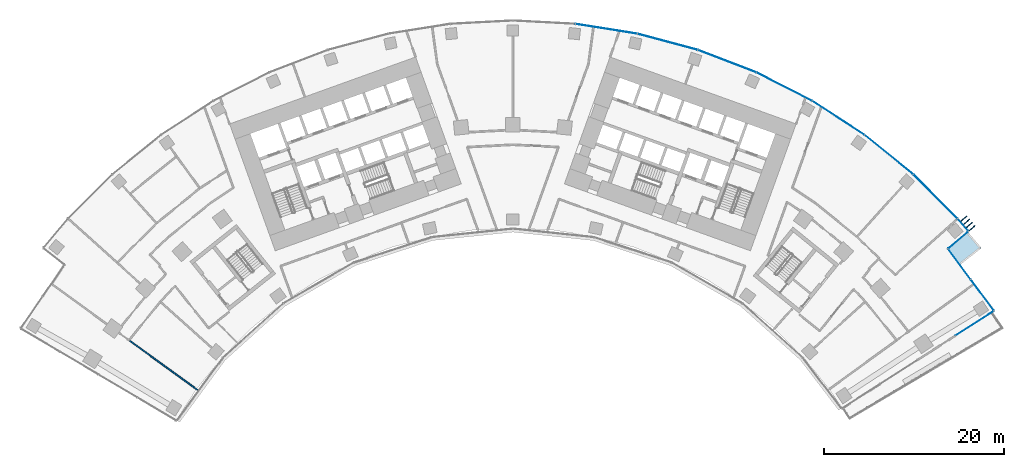
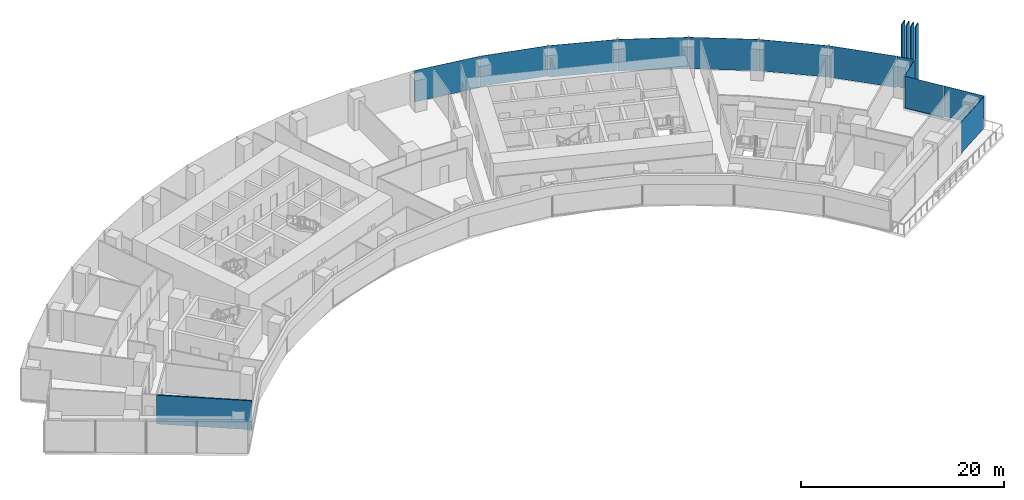
# One storey, part 13 of 21: 16 plates, 1 slab, 1 wall, 4 elements without a shape of their own.
"""IFC4 building model written with IfcOpenShell, lengths in metres."""

from ifc_helpers import new_model, si_unit, direction, frame, frame_2d, origin, origin_2d, place, context, subcontext, project, spatial, polyline, rectangle, outline, extrude, material, layer, layer_set, type_object, element, aggregate, save


model = new_model("IFC4")

# Units and contexts
model_context = context("Model", 3, precision=1e-05, world=origin(), true_north=direction((0.0, 1.0)))
body_context = subcontext(model_context, "Body", "Model", "MODEL_VIEW")
ifc_project = project(units=[si_unit("LENGTHUNIT", "METRE"), si_unit("AREAUNIT", "SQUARE_METRE"), si_unit("VOLUMEUNIT", "CUBIC_METRE"), si_unit("PLANEANGLEUNIT", "RADIAN"), si_unit("MASSUNIT", "GRAM", prefix="KILO")], contexts=[model_context])

# Site, building, storey
site_placement = place(None, origin())
site = spatial("IfcSite", under=ifc_project, at=site_placement, CompositionType="ELEMENT")
building_placement = place(site_placement, origin())
building = spatial("IfcBuilding", under=site, at=building_placement, Name="Stone Belt Terrace Tower", CompositionType="ELEMENT")
storey_placement = place(building_placement, frame((0.0, 0.0, 45.199951171875)))
storey = spatial("IfcBuildingStorey", under=building, at=storey_placement, Name="L10", CompositionType="ELEMENT", Elevation=45.199951171875)

# Curtain wall, plates
ifc_material_1 = material(Name="Aluminium 6063-T6 anodised frame", Category="aluminium")
ifc_layer_1 = layer(ifc_material_1, 0.14990234375)
ifc_layer_set_1 = layer_set([ifc_layer_1], Name="CW-A unitised convex-face curtain wall")
curtain_wall_type_1 = type_object("IfcCurtainWallType", Name="CW-A unitised convex-face curtain wall", PredefinedType="NOTDEFINED", material=ifc_layer_set_1)
curtain_wall_1_placement = place(storey_placement, origin())
curtain_wall_1 = element("IfcCurtainWall", 1, at=curtain_wall_1_placement, inside=storey, type_object=curtain_wall_type_1, Name="CW-A convex face L10", PredefinedType="NOTDEFINED")
ifc_material_2 = material(Name="Clear double glazed unit")
ifc_layer_2 = layer(ifc_material_2, 0.031982421875)
ifc_layer_set_2 = layer_set([ifc_layer_2], Name="CW-A glass panel 32")
plate_type_1 = type_object("IfcPlateType", Name="CW-A glass panel 32", PredefinedType="CURTAIN_PANEL", material=ifc_layer_set_2)
plate_1_placement = place(storey_placement, frame((50.075439453125, 43.862060546875, 0.14013671875), z_axis=(0.0, 0.0, 1.0), x_axis=(-0.659073728338, 0.752078334095, 0.0)))
plate_1 = element("IfcPlate", 2, at=plate_1_placement, type_object=plate_type_1, Name="CW-A panel 1.1", PredefinedType="CURTAIN_PANEL", context=body_context, shape_type="SweptSolid", body=[
    extrude(rectangle(XDim=1.760498046875, YDim=0.031982421875, at=origin_2d()), origin(), (0.0, 0.0, 1.0), 3.659912109375),
])
plate_2_placement = place(storey_placement, frame((47.01123046875, 47.01123046875, 0.0), z_axis=(0.0, 0.0, 1.0), x_axis=(-0.707106781187, 0.707106781187, 0.0)))
plate_2 = element("IfcPlate", 3, at=plate_2_placement, type_object=plate_type_1, Name="CW-A panel 2.1", PredefinedType="CURTAIN_PANEL", context=body_context, shape_type="SweptSolid", body=[
    extrude(rectangle(XDim=6.900634765625, YDim=0.031982421875, at=origin_2d()), origin(), (0.0, 0.0, 1.0), 3.800048828125),
])
plate_3_placement = place(storey_placement, frame((41.839599609375, 51.667724609375, 0.0), z_axis=(0.0, 0.0, 1.0), x_axis=(-0.777145961457, 0.62932039105, 0.0)))
plate_3 = element("IfcPlate", 4, at=plate_3_placement, type_object=plate_type_1, Name="CW-A panel 3.1", PredefinedType="CURTAIN_PANEL", context=body_context, shape_type="SweptSolid", body=[
    extrude(rectangle(XDim=6.90087890625, YDim=0.031982421875, at=origin_2d()), origin(), (0.0, 0.0, 1.0), 3.800048828125),
])
plate_4_placement = place(storey_placement, frame((36.209716796875, 55.758056640625, 0.0), z_axis=(0.0, 0.0, 1.0), x_axis=(-0.838670567945, 0.544639035015, 0.0)))
plate_4 = element("IfcPlate", 5, at=plate_4_placement, type_object=plate_type_1, Name="CW-A panel 4.1", PredefinedType="CURTAIN_PANEL", context=body_context, shape_type="SweptSolid", body=[
    extrude(rectangle(XDim=6.90087890625, YDim=0.031982421875, at=origin_2d()), origin(), (0.0, 0.0, 1.0), 3.800048828125),
])
plate_5_placement = place(storey_placement, frame((30.18310546875, 59.237548828125, 0.0), z_axis=(0.0, 0.0, 1.0), x_axis=(-0.891006524188, 0.45399049974, 0.0)))
plate_5 = element("IfcPlate", 6, at=plate_5_placement, type_object=plate_type_1, Name="CW-A panel 5.1", PredefinedType="CURTAIN_PANEL", context=body_context, shape_type="SweptSolid", body=[
    extrude(rectangle(XDim=6.90087890625, YDim=0.031982421875, at=origin_2d()), origin(), (0.0, 0.0, 1.0), 3.800048828125),
])
plate_6_placement = place(storey_placement, frame((23.82568359375, 62.068115234375, 0.0), z_axis=(0.0, 0.0, 1.0), x_axis=(-0.933580426497, 0.358367949545, 0.0)))
plate_6 = element("IfcPlate", 7, at=plate_6_placement, type_object=plate_type_1, Name="CW-A panel 6.1", PredefinedType="CURTAIN_PANEL", context=body_context, shape_type="SweptSolid", body=[
    extrude(rectangle(XDim=6.90087890625, YDim=0.031982421875, at=origin_2d()), origin(), (0.0, 0.0, 1.0), 3.800048828125),
])
plate_7_placement = place(storey_placement, frame((17.207275390625, 64.218505859375, 0.14013671875), z_axis=(0.0, 0.0, 1.0), x_axis=(-0.965925826289, 0.258819045103, 0.0)))
plate_7 = element("IfcPlate", 8, at=plate_7_placement, type_object=plate_type_1, Name="CW-A panel 7.1", PredefinedType="CURTAIN_PANEL", context=body_context, shape_type="SweptSolid", body=[
    extrude(rectangle(XDim=6.90087890625, YDim=0.031982421875, at=origin_2d()), origin(), (0.0, 0.0, 1.0), 3.659912109375),
])
plate_8_placement = place(storey_placement, frame((10.400390625, 65.665283203125, 0.0), z_axis=(0.0, 0.0, 1.0), x_axis=(-0.987688340595, 0.15643446504, 0.0)))
plate_8 = element("IfcPlate", 9, at=plate_8_placement, type_object=plate_type_1, Name="CW-A panel 8.1", PredefinedType="CURTAIN_PANEL", context=body_context, shape_type="SweptSolid", body=[
    extrude(rectangle(XDim=6.90087890625, YDim=0.031982421875, at=origin_2d()), origin(), (0.0, 0.0, 1.0), 3.800048828125),
])
aggregate(curtain_wall_1, [plate_1, plate_2, plate_3, plate_4, plate_5, plate_6, plate_7, plate_8])

# Curtain wall, plate
ifc_layer_3 = layer(ifc_material_1, 0.14990234375)
ifc_layer_set_3 = layer_set([ifc_layer_3], Name="CW-C stick curtain wall, horn ends and notches")
curtain_wall_type_2 = type_object("IfcCurtainWallType", Name="CW-C stick curtain wall, horn ends and notches", PredefinedType="NOTDEFINED", material=ifc_layer_set_3)
curtain_wall_2_placement = place(storey_placement, origin())
curtain_wall_2 = element("IfcCurtainWall", 10, at=curtain_wall_2_placement, inside=storey, type_object=curtain_wall_type_2, Name="CW-C end face L10", PredefinedType="NOTDEFINED")
ifc_layer_4 = layer(ifc_material_2, 0.028076171875)
ifc_layer_set_4 = layer_set([ifc_layer_4], Name="CW-C glass panel 28")
plate_type_2 = type_object("IfcPlateType", Name="CW-C glass panel 28", PredefinedType="CURTAIN_PANEL", material=ifc_layer_set_4)
plate_9_placement = place(storey_placement, frame((51.385009765625, 32.90478515625, 0.0), z_axis=(0.0, 0.0, 1.0), x_axis=(0.841470984807, 0.540302305869, 0.0)))
plate_9 = element("IfcPlate", 11, at=plate_9_placement, type_object=plate_type_2, Name="CW-C panel 4.1", PredefinedType="CURTAIN_PANEL", context=body_context, shape_type="SweptSolid", body=[
    extrude(rectangle(XDim=4.974853515625, YDim=0.028076171875, at=origin_2d()), origin(), (0.0, 0.0, 1.0), 3.800048828125),
])
aggregate(curtain_wall_2, [plate_9])

# Curtain wall, plates
curtain_wall_3_placement = place(storey_placement, origin())
curtain_wall_3 = element("IfcCurtainWall", 12, at=curtain_wall_3_placement, inside=storey, type_object=curtain_wall_type_2, Name="CW-C notch face L10", PredefinedType="NOTDEFINED")
plate_10_placement = place(storey_placement, frame((52.224609375, 36.063720703125, 0.1201171875), z_axis=(0.0, 0.0, 1.0), x_axis=(-0.59596392258, 0.803011209749, 0.0)))
plate_10 = element("IfcPlate", 13, at=plate_10_placement, type_object=plate_type_2, Name="CW-C panel 1.1", PredefinedType="CURTAIN_PANEL", context=body_context, shape_type="SweptSolid", body=[
    extrude(rectangle(XDim=4.268798828125, YDim=0.028076171875, at=origin_2d()), origin(), (0.0, 0.0, 1.0), 3.679931640625),
])
plate_11_placement = place(storey_placement, frame((49.68896484375, 39.480224609375, 0.0), z_axis=(0.0, 0.0, 1.0), x_axis=(-0.59596392258, 0.803011209749, 0.0)))
plate_11 = element("IfcPlate", 14, at=plate_11_placement, type_object=plate_type_2, Name="CW-C panel 2.1", PredefinedType="CURTAIN_PANEL", context=body_context, shape_type="SweptSolid", body=[
    extrude(rectangle(XDim=4.12060546875, YDim=0.028076171875, at=origin_2d()), origin(), (0.0, 0.0, 1.0), 3.800048828125),
])
aggregate(curtain_wall_3, [plate_10, plate_11])

# Curtain wall, plate
curtain_wall_4_placement = place(storey_placement, origin())
curtain_wall_4 = element("IfcCurtainWall", 15, at=curtain_wall_4_placement, inside=storey, type_object=curtain_wall_type_2, Name="CW-C notch face L10", PredefinedType="NOTDEFINED")
plate_12_placement = place(storey_placement, frame((49.560546875, 42.168212890625, 0.1201171875), z_axis=(0.0, 0.0, 1.0), x_axis=(0.760875755373, 0.648897591986, 0.0)))
plate_12 = element("IfcPlate", 16, at=plate_12_placement, type_object=plate_type_2, Name="CW-C panel 1.1", PredefinedType="CURTAIN_PANEL", context=body_context, shape_type="SweptSolid", body=[
    extrude(rectangle(XDim=2.8583984375, YDim=0.028076171875, at=origin_2d()), origin(), (0.0, 0.0, 1.0), 3.679931640625),
])
aggregate(curtain_wall_4, [plate_12])

# Slab
ifc_material_3 = material(Name="Concrete B40", Category="concrete")
ifc_layer_5 = layer(ifc_material_3, 0.300048828125)
ifc_layer_set_5 = layer_set([ifc_layer_5], Name="Terrace slab 300 B40")
slab_type = type_object("IfcSlabType", Name="Terrace slab 300 B40", PredefinedType="FLOOR", material=ifc_layer_set_5)
slab_placement = place(storey_placement, frame((0.0, 0.0, -0.300048828125)))
element("IfcSlab", 17, at=slab_placement, inside=storey, type_object=slab_type, Name="Terrace slab L10-notch_roof-2", PredefinedType="FLOOR", context=body_context, shape_type="SweptSolid", body=[
    extrude(outline(polyline([(49.78173828125, 39.421142578125), (52.133544921875, 41.28369140625), (50.573486328125, 43.130615234375), (48.315673828125, 41.205078125), (51.50146484375, 36.912353515625), (51.50439453125, 36.914306640625), (49.78173828125, 39.421142578125)])), origin(), (0.0, 0.0, 1.0), 0.300048828125),
])

# Plates
ifc_material_4 = material(Name="Terracotta coloured glazed ceramic", Category="masonry")
ifc_layer_6 = layer(ifc_material_4, 0.10009765625)
ifc_layer_set_6 = layer_set([ifc_layer_6], Name="Terracotta fin 100 x 900")
plate_type_3 = type_object("IfcPlateType", Name="Terracotta fin 100 x 900", PredefinedType="SHEET", material=ifc_layer_set_6)
for number, where, z_axis, x_axis, name in (
    (18, (51.099609375, 43.489990234375, 0.0), (0.0, 0.0, 1.0), (0.752078334095, 0.659073728338, 0.0), "FIN L10 1.1"),
    (19, (50.7919921875, 43.841064453125, 0.0), (0.0, 0.0, 1.0), (0.752078334095, 0.659073728338, 0.0), "FIN L10 1.2"),
    (20, (50.484130859375, 44.192138671875, 0.0), (0.0, 0.0, 1.0), (0.752078334095, 0.659073728338, 0.0), "FIN L10 1.3"),
    (21, (50.176513671875, 44.54345703125, 0.0), (0.0, 0.0, 1.0), (0.752078334095, 0.659073728338, 0.0), "FIN L10 1.4"),
):
    element("IfcPlate", number, at=place(storey_placement, frame(where, z_axis=z_axis, x_axis=x_axis)), inside=storey, type_object=plate_type_3, Name=name, PredefinedType="SHEET", context=body_context, shape_type="SweptSolid", body=[
        extrude(rectangle(XDim=0.89990234375, YDim=0.10009765625, at=origin_2d()), origin(), (0.0, 0.0, 1.0), 7.60009765625),
    ])

# Wall
ifc_material_5 = material(Name="Gypsum board partition")
ifc_layer_7 = layer(ifc_material_5, 0.14990234375)
ifc_layer_set_7 = layer_set([ifc_layer_7], Name="PARTITION 150 EI 60")
wall_type = type_object("IfcWallType", Name="PARTITION 150 EI 60", PredefinedType="PARTITIONING", material=ifc_layer_set_7)
wall_placement = place(storey_placement, frame((-42.700927734375, 31.02294921875, 0.0), z_axis=(0.0, 0.0, 1.0), x_axis=(0.809056214553, -0.587731266561, 0.0)))
element("IfcWall", 22, at=wall_placement, inside=storey, type_object=wall_type, Name="L10/wall/i035", PredefinedType="PARTITIONING", context=body_context, shape_type="SweptSolid", body=[
    extrude(rectangle(XDim=9.494384765625, YDim=0.14990234375, at=frame_2d((4.7470703125, 0.0))), origin(), (0.0, 0.0, 1.0), 3.47998046875),
])

save(model, "model.ifc")
